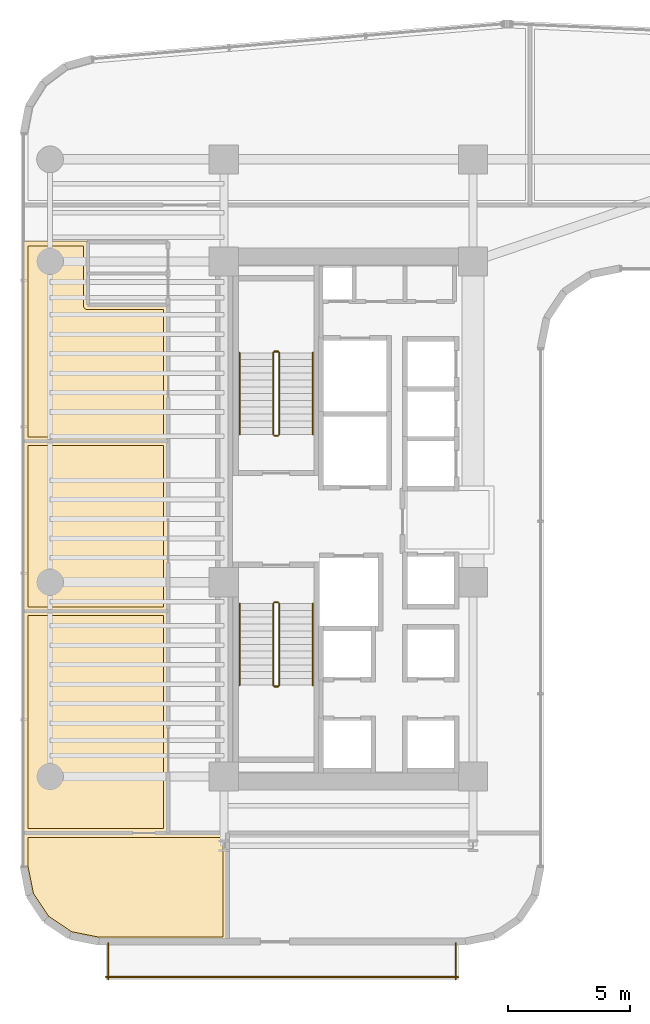
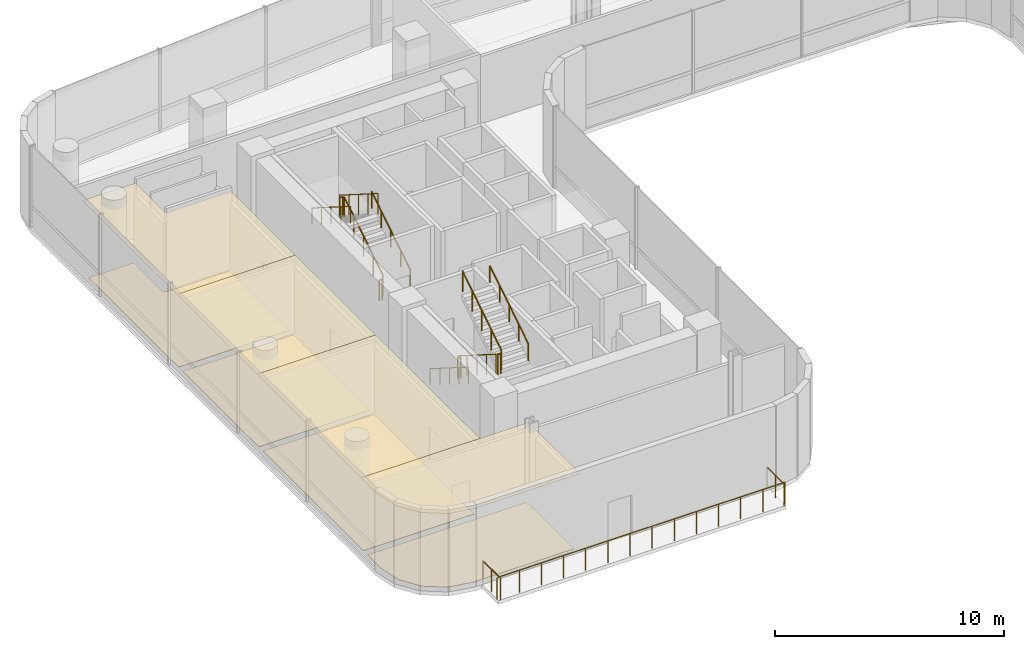
# One storey, part 29 of 32: 15 railings, 8 coverings.
"""IFC4 building model written with IfcOpenShell, lengths in metres."""

from ifc_helpers import new_model, si_unit, direction, frame, origin, origin_2d, place, context, subcontext, project, spatial, polyline, circle, outline, extrude, material, layer, layer_set, type_object, element, save


model = new_model("IFC4")

# Units and contexts
model_context = context("Model", 3, precision=1e-05, world=origin(), true_north=direction((0.0, 1.0)))
body_context = subcontext(model_context, "Body", "Model", "MODEL_VIEW")
ifc_project = project(units=[si_unit("LENGTHUNIT", "METRE"), si_unit("AREAUNIT", "SQUARE_METRE"), si_unit("VOLUMEUNIT", "CUBIC_METRE"), si_unit("PLANEANGLEUNIT", "RADIAN"), si_unit("MASSUNIT", "GRAM", prefix="KILO")], contexts=[model_context])

# Site, building, storey
site_placement = place(None, origin())
site = spatial("IfcSite", under=ifc_project, at=site_placement, CompositionType="ELEMENT")
building_placement = place(site_placement, origin())
building = spatial("IfcBuilding", under=site, at=building_placement, Name="Valdorenza Pilgrim Sanctuary Tower", CompositionType="ELEMENT")
storey_placement = place(building_placement, frame((0.0, 0.0, 101.10009765625)))
storey = spatial("IfcBuildingStorey", under=building, at=storey_placement, Name="L25", CompositionType="ELEMENT", Elevation=101.10009765625)

# Coverings
ifc_material_1 = material(Name="Micro-perforated acoustic mineral ceiling tile", Category="gypsum")
ifc_layer_1 = layer(ifc_material_1, 0.02490234375, Name="Micro-perforated acoustic mineral ceiling tile")
ifc_layer_set_1 = layer_set([ifc_layer_1], Name="Micro-perforated acoustic mineral ceiling tile")
covering_type_1 = type_object("IfcCoveringType", Name="COV-CLG-ACU", PredefinedType="CEILING", material=ifc_layer_set_1)
covering_1_placement = place(storey_placement, frame((0.0, 0.0, 4.059814453125)))
element("IfcCovering", 1, at=covering_1_placement, inside=storey, type_object=covering_type_1, Name="L25 Pilgrim Meditation Sanctuary Acoustic Ceiling", PredefinedType="CEILING", context=body_context, shape_type="SweptSolid", body=[
    extrude(outline(polyline([(-24.93505859375, -12.919921875), (-24.93505859375, -12.92138671875), (-24.935302734375, -12.9228515625), (-24.935546875, -12.92431640625), (-24.93603515625, -12.92578125), (-24.936767578125, -12.927001953125), (-24.9375, -12.92822265625), (-24.9384765625, -12.929443359375), (-24.939453125, -12.9306640625), (-24.9404296875, -12.931640625), (-24.941650390625, -12.9326171875), (-24.94287109375, -12.93310546875), (-24.9443359375, -12.933837890625), (-24.945556640625, -12.934326171875), (-24.947021484375, -12.934814453125), (-24.948486328125, -12.934814453125), (-24.949951171875, -12.93505859375), (-30.889892578125, -12.93505859375), (-30.8916015625, -12.934814453125), (-30.892822265625, -12.934814453125), (-30.894287109375, -12.934326171875), (-30.895751953125, -12.933837890625), (-30.897216796875, -12.93310546875), (-30.898193359375, -12.9326171875), (-30.8994140625, -12.931640625), (-30.900634765625, -12.9306640625), (-30.901611328125, -12.929443359375), (-30.902587890625, -12.92822265625), (-30.9033203125, -12.927001953125), (-30.90380859375, -12.92578125), (-30.904296875, -12.92431640625), (-30.90478515625, -12.9228515625), (-30.90478515625, -12.92138671875), (-30.905029296875, -12.919921875), (-30.905029296875, -3.800048828125), (-30.90478515625, -3.798583984375), (-30.90478515625, -3.797119140625), (-30.904296875, -3.795654296875), (-30.90380859375, -3.794189453125), (-30.9033203125, -3.79296875), (-30.902587890625, -3.791748046875), (-30.901611328125, -3.79052734375), (-30.900634765625, -3.789306640625), (-30.8994140625, -3.788330078125), (-30.898193359375, -3.78759765625), (-30.897216796875, -3.786865234375), (-30.895751953125, -3.7861328125), (-30.894287109375, -3.78564453125), (-30.892822265625, -3.785400390625), (-30.8916015625, -3.78515625), (-30.889892578125, -3.784912109375), (-24.949951171875, -3.784912109375), (-24.948486328125, -3.78515625), (-24.947021484375, -3.785400390625), (-24.945556640625, -3.78564453125), (-24.9443359375, -3.7861328125), (-24.94287109375, -3.786865234375), (-24.941650390625, -3.78759765625), (-24.9404296875, -3.788330078125), (-24.939453125, -3.789306640625), (-24.9384765625, -3.79052734375), (-24.9375, -3.791748046875), (-24.936767578125, -3.79296875), (-24.93603515625, -3.794189453125), (-24.935546875, -3.795654296875), (-24.935302734375, -3.797119140625), (-24.93505859375, -3.798583984375), (-24.93505859375, -3.800048828125), (-24.93505859375, -12.919921875)])), origin(), (0.0, 0.0, 1.0), 0.025146484375),
])
covering_2_placement = place(storey_placement, frame((0.0, 0.0, 4.059814453125)))
element("IfcCovering", 2, at=covering_2_placement, inside=storey, type_object=covering_type_1, Name="L25 Sky Tea and Refreshment Cafe Acoustic Ceiling", PredefinedType="CEILING", context=body_context, shape_type="SweptSolid", body=[
    extrude(outline(polyline([(-24.93505859375, -3.798095703125), (-24.93505859375, -3.799560546875), (-24.935302734375, -3.80078125), (-24.935546875, -3.802490234375), (-24.93603515625, -3.8037109375), (-24.936767578125, -3.80517578125), (-24.9375, -3.806396484375), (-24.9384765625, -3.8076171875), (-24.939453125, -3.80859375), (-24.9404296875, -3.8095703125), (-24.941650390625, -3.810546875), (-24.94287109375, -3.811279296875), (-24.9443359375, -3.81201171875), (-24.945556640625, -3.8125), (-24.947021484375, -3.812744140625), (-24.948486328125, -3.81298828125), (-24.949951171875, -3.81298828125), (-30.889892578125, -3.81298828125), (-30.8916015625, -3.81298828125), (-30.892822265625, -3.812744140625), (-30.894287109375, -3.8125), (-30.895751953125, -3.81201171875), (-30.897216796875, -3.811279296875), (-30.898193359375, -3.810546875), (-30.8994140625, -3.8095703125), (-30.900634765625, -3.80859375), (-30.901611328125, -3.8076171875), (-30.902587890625, -3.806396484375), (-30.9033203125, -3.80517578125), (-30.90380859375, -3.8037109375), (-30.904296875, -3.802490234375), (-30.90478515625, -3.80078125), (-30.90478515625, -3.799560546875), (-30.905029296875, -3.798095703125), (-30.905029296875, 3.199951171875), (-30.90478515625, 3.201416015625), (-30.90478515625, 3.202880859375), (-30.904296875, 3.204345703125), (-30.90380859375, 3.205810546875), (-30.9033203125, 3.20703125), (-30.902587890625, 3.208251953125), (-30.901611328125, 3.20947265625), (-30.900634765625, 3.210693359375), (-30.8994140625, 3.211669921875), (-30.898193359375, 3.21240234375), (-30.897216796875, 3.213134765625), (-30.895751953125, 3.2138671875), (-30.894287109375, 3.21435546875), (-30.892822265625, 3.214599609375), (-30.8916015625, 3.21484375), (-30.889892578125, 3.215087890625), (-24.949951171875, 3.215087890625), (-24.948486328125, 3.21484375), (-24.947021484375, 3.214599609375), (-24.945556640625, 3.21435546875), (-24.9443359375, 3.2138671875), (-24.94287109375, 3.213134765625), (-24.941650390625, 3.21240234375), (-24.9404296875, 3.211669921875), (-24.939453125, 3.210693359375), (-24.9384765625, 3.20947265625), (-24.9375, 3.208251953125), (-24.936767578125, 3.20703125), (-24.93603515625, 3.205810546875), (-24.935546875, 3.204345703125), (-24.935302734375, 3.202880859375), (-24.93505859375, 3.201416015625), (-24.93505859375, 3.199951171875), (-24.93505859375, -3.798095703125)])), origin(), (0.0, 0.0, 1.0), 0.025146484375),
])
covering_3_placement = place(storey_placement, frame((0.0, 0.0, 4.059814453125)))
element("IfcCovering", 3, at=covering_3_placement, inside=storey, type_object=covering_type_1, Name="L25 L25 Sky Lobby Concierge Office Acoustic Ceiling", PredefinedType="CEILING", context=body_context, shape_type="SweptSolid", body=[
    extrude(outline(polyline([(-28.237060546875, 8.81298828125), (-24.949951171875, 8.81298828125), (-24.948486328125, 8.81298828125), (-24.947021484375, 8.812744140625), (-24.945556640625, 8.8125), (-24.9443359375, 8.81201171875), (-24.94287109375, 8.811279296875), (-24.941650390625, 8.810546875), (-24.9404296875, 8.8095703125), (-24.939453125, 8.80859375), (-24.9384765625, 8.8076171875), (-24.9375, 8.806396484375), (-24.936767578125, 8.80517578125), (-24.93603515625, 8.8037109375), (-24.935546875, 8.802490234375), (-24.935302734375, 8.80078125), (-24.93505859375, 8.799560546875), (-24.93505859375, 8.798095703125), (-24.93505859375, 3.201904296875), (-24.93505859375, 3.200439453125), (-24.935302734375, 3.19921875), (-24.935546875, 3.197509765625), (-24.93603515625, 3.1962890625), (-24.936767578125, 3.19482421875), (-24.9375, 3.193603515625), (-24.9384765625, 3.1923828125), (-24.939453125, 3.19140625), (-24.9404296875, 3.1904296875), (-24.941650390625, 3.189453125), (-24.94287109375, 3.188720703125), (-24.9443359375, 3.18798828125), (-24.945556640625, 3.1875), (-24.947021484375, 3.187255859375), (-24.948486328125, 3.18701171875), (-24.949951171875, 3.18701171875), (-30.889892578125, 3.18701171875), (-30.8916015625, 3.18701171875), (-30.892822265625, 3.187255859375), (-30.894287109375, 3.1875), (-30.895751953125, 3.18798828125), (-30.897216796875, 3.188720703125), (-30.898193359375, 3.189453125), (-30.8994140625, 3.1904296875), (-30.900634765625, 3.19140625), (-30.901611328125, 3.1923828125), (-30.902587890625, 3.193603515625), (-30.9033203125, 3.19482421875), (-30.90380859375, 3.1962890625), (-30.904296875, 3.197509765625), (-30.90478515625, 3.19921875), (-30.90478515625, 3.200439453125), (-30.905029296875, 3.201904296875), (-30.905029296875, 11.419921875), (-30.90478515625, 11.42138671875), (-30.90478515625, 11.4228515625), (-30.904296875, 11.42431640625), (-30.90380859375, 11.42578125), (-30.9033203125, 11.427001953125), (-30.902587890625, 11.42822265625), (-30.901611328125, 11.429443359375), (-30.900634765625, 11.4306640625), (-30.8994140625, 11.431640625), (-30.898193359375, 11.4326171875), (-30.897216796875, 11.43310546875), (-30.895751953125, 11.433837890625), (-30.894287109375, 11.434326171875), (-30.892822265625, 11.434814453125), (-30.8916015625, 11.434814453125), (-30.889892578125, 11.43505859375), (-28.25, 11.43505859375), (-28.24853515625, 11.434814453125), (-28.2470703125, 11.434814453125), (-28.24560546875, 11.434326171875), (-28.244384765625, 11.433837890625), (-28.242919921875, 11.43310546875), (-28.24169921875, 11.4326171875), (-28.240478515625, 11.431640625), (-28.239501953125, 11.4306640625), (-28.23828125, 11.429443359375), (-28.237548828125, 11.42822265625), (-28.23681640625, 11.427001953125), (-28.236083984375, 11.42578125), (-28.235595703125, 11.42431640625), (-28.2353515625, 11.4228515625), (-28.235107421875, 11.42138671875), (-28.235107421875, 11.419921875), (-28.235107421875, 11.402099609375), (-28.235107421875, 11.400390625), (-28.2353515625, 11.39892578125), (-28.235595703125, 11.3974609375), (-28.236083984375, 11.39599609375), (-28.23681640625, 11.394775390625), (-28.237060546875, 11.39453125), (-28.237060546875, 10.103759765625), (-28.23681640625, 10.10302734375), (-28.23681640625, 10.1015625), (-28.23681640625, 10.10009765625), (-28.23681640625, 10.098388671875), (-28.237060546875, 10.09814453125), (-28.237060546875, 8.81298828125)])), origin(), (0.0, 0.0, 1.0), 0.025146484375),
])
covering_4_placement = place(storey_placement, frame((0.0, 0.0, 4.059814453125)))
element("IfcCovering", 4, at=covering_4_placement, inside=storey, type_object=covering_type_1, Name="L25 South Panoramic Viewing Salon Acoustic Ceiling", PredefinedType="CEILING", context=body_context, shape_type="SweptSolid", body=[
    extrude(outline(polyline([(-24.955322265625, -12.906982421875), (-24.954833984375, -12.90673828125), (-24.95361328125, -12.906005859375), (-24.9521484375, -12.905517578125), (-24.95068359375, -12.9052734375), (-24.949462890625, -12.905029296875), (-24.947998046875, -12.905029296875), (-22.5, -12.905029296875), (-22.49853515625, -12.905029296875), (-22.4970703125, -12.9052734375), (-22.49560546875, -12.905517578125), (-22.494384765625, -12.906005859375), (-22.492919921875, -12.90673828125), (-22.49169921875, -12.907470703125), (-22.490478515625, -12.908447265625), (-22.489501953125, -12.909423828125), (-22.48828125, -12.910400390625), (-22.487548828125, -12.91162109375), (-22.48681640625, -12.912841796875), (-22.486083984375, -12.914306640625), (-22.485595703125, -12.91552734375), (-22.4853515625, -12.9169921875), (-22.485107421875, -12.91845703125), (-22.485107421875, -12.919921875), (-22.485107421875, -17.389892578125), (-22.485107421875, -17.3916015625), (-22.4853515625, -17.392822265625), (-22.485595703125, -17.394287109375), (-22.486083984375, -17.395751953125), (-22.48681640625, -17.397216796875), (-22.487548828125, -17.398193359375), (-22.48828125, -17.3994140625), (-22.489501953125, -17.400634765625), (-22.490478515625, -17.401611328125), (-22.49169921875, -17.402587890625), (-22.492919921875, -17.4033203125), (-22.494384765625, -17.40380859375), (-22.49560546875, -17.404296875), (-22.4970703125, -17.40478515625), (-22.49853515625, -17.40478515625), (-22.5, -17.405029296875), (-27.789306640625, -17.405029296875), (-27.79052734375, -17.40478515625), (-27.7919921875, -17.40478515625), (-28.984619140625, -17.16748046875), (-28.986083984375, -17.1669921875), (-28.9873046875, -17.16650390625), (-28.98876953125, -17.166015625), (-28.989990234375, -17.165283203125), (-29.99169921875, -16.495849609375), (-29.992919921875, -16.4951171875), (-29.993896484375, -16.493896484375), (-29.9951171875, -16.492919921875), (-29.995849609375, -16.49169921875), (-30.665283203125, -15.489990234375), (-30.666015625, -15.48876953125), (-30.66650390625, -15.4873046875), (-30.6669921875, -15.486083984375), (-30.66748046875, -15.484619140625), (-30.90478515625, -14.2919921875), (-30.90478515625, -14.29052734375), (-30.905029296875, -14.289306640625), (-30.905029296875, -12.922119140625), (-30.90478515625, -12.92041015625), (-30.90478515625, -12.919189453125), (-30.904296875, -12.91748046875), (-30.90380859375, -12.916259765625), (-30.9033203125, -12.914794921875), (-30.902587890625, -12.913818359375), (-30.901611328125, -12.91259765625), (-30.900634765625, -12.911376953125), (-30.8994140625, -12.910400390625), (-30.898193359375, -12.909423828125), (-30.897216796875, -12.90869140625), (-30.895751953125, -12.908203125), (-30.894287109375, -12.90771484375), (-30.892822265625, -12.9072265625), (-30.8916015625, -12.906982421875), (-30.889892578125, -12.906982421875), (-24.955322265625, -12.906982421875)])), origin(), (0.0, 0.0, 1.0), 0.025146484375),
])
ifc_material_2 = material(Name="Honed travertine stone flooring", Category="masonry")
ifc_layer_2 = layer(ifc_material_2, 0.030029296875, Name="Honed travertine stone flooring")
ifc_layer_set_2 = layer_set([ifc_layer_2], Name="Honed travertine stone flooring")
covering_type_2 = type_object("IfcCoveringType", Name="COV-FLR-TRV", PredefinedType="FLOORING", material=ifc_layer_set_2)
covering_5_placement = place(storey_placement, origin())
element("IfcCovering", 5, at=covering_5_placement, inside=storey, type_object=covering_type_2, Name="L25 Pilgrim Meditation Sanctuary Flooring", PredefinedType="FLOORING", context=body_context, shape_type="SweptSolid", body=[
    extrude(outline(polyline([(-25.1298828125, -12.739990234375), (-30.7099609375, -12.739990234375), (-30.7099609375, -3.97998046875), (-25.1298828125, -3.97998046875), (-25.1298828125, -12.739990234375)])), origin(), (0.0, 0.0, 1.0), 0.02490234375),
])
covering_6_placement = place(storey_placement, origin())
element("IfcCovering", 6, at=covering_6_placement, inside=storey, type_object=covering_type_2, Name="L25 Sky Tea and Refreshment Cafe Flooring", PredefinedType="FLOORING", context=body_context, shape_type="SweptSolid", body=[
    extrude(outline(polyline([(-25.1298828125, -3.617919921875), (-30.7099609375, -3.617919921875), (-30.7099609375, 3.02001953125), (-25.1298828125, 3.02001953125), (-25.1298828125, -3.617919921875)])), origin(), (0.0, 0.0, 1.0), 0.02490234375),
])
covering_7_placement = place(storey_placement, origin())
element("IfcCovering", 7, at=covering_7_placement, inside=storey, type_object=covering_type_2, Name="L25 L25 Sky Lobby Concierge Office Flooring", PredefinedType="FLOORING", context=body_context, shape_type="SweptSolid", body=[
    extrude(outline(polyline([(-28.431884765625, 11.239990234375), (-28.431884765625, 10.10205078125), (-28.431884765625, 10.10107421875), (-28.431884765625, 10.100341796875), (-28.431884765625, 10.10009765625), (-28.431884765625, 8.800048828125), (-28.431884765625, 8.791259765625), (-28.431884765625, 8.791015625), (-28.429931640625, 8.7734375), (-28.429931640625, 8.773193359375), (-28.426513671875, 8.755859375), (-28.426513671875, 8.755615234375), (-28.42138671875, 8.73876953125), (-28.42138671875, 8.738525390625), (-28.41455078125, 8.722412109375), (-28.41455078125, 8.72216796875), (-28.40625, 8.70654296875), (-28.406005859375, 8.706298828125), (-28.396240234375, 8.691650390625), (-28.39599609375, 8.69140625), (-28.385009765625, 8.677978515625), (-28.384765625, 8.677734375), (-28.372314453125, 8.665283203125), (-28.3720703125, 8.6650390625), (-28.3583984375, 8.65380859375), (-28.3583984375, 8.65380859375), (-28.343505859375, 8.643798828125), (-28.343505859375, 8.643798828125), (-28.327880859375, 8.635498046875), (-28.32763671875, 8.635498046875), (-28.311279296875, 8.628662109375), (-28.311279296875, 8.628662109375), (-28.294189453125, 8.62353515625), (-28.294189453125, 8.623291015625), (-28.27685546875, 8.6201171875), (-28.276611328125, 8.6201171875), (-28.259033203125, 8.6181640625), (-28.2587890625, 8.6181640625), (-28.25, 8.617919921875), (-25.1298828125, 8.617919921875), (-25.1298828125, 3.382080078125), (-30.7099609375, 3.382080078125), (-30.7099609375, 11.239990234375), (-28.431884765625, 11.239990234375)])), origin(), (0.0, 0.0, 1.0), 0.02490234375),
])
covering_8_placement = place(storey_placement, origin())
element("IfcCovering", 8, at=covering_8_placement, inside=storey, type_object=covering_type_2, Name="L25 South Panoramic Viewing Salon Flooring", PredefinedType="FLOORING", context=body_context, shape_type="SweptSolid", body=[
    extrude(outline(polyline([(-22.679931640625, -17.2099609375), (-27.771484375, -17.2099609375), (-28.911376953125, -16.983154296875), (-29.853515625, -16.353515625), (-30.483154296875, -15.411376953125), (-30.7099609375, -14.271484375), (-30.7099609375, -13.10205078125), (-24.949951171875, -13.10205078125), (-22.679931640625, -13.10009765625), (-22.679931640625, -17.2099609375)])), origin(), (0.0, 0.0, 1.0), 0.02490234375),
])

# Railings
ifc_material_3 = material(Name="Laminated safety glass and stainless steel", Category="steel")
railing_type_1 = type_object("IfcRailingType", Name="RLG-BAL-1200", PredefinedType="BALUSTRADE", material=ifc_material_3)
railing_1_placement = place(storey_placement, frame((-27.5, -18.85009765625, 0.0)))
element("IfcRailing", 9, at=railing_1_placement, inside=storey, type_object=railing_type_1, Name="L25 Pilgrim Sky Tea Terrace Balustrade 1", PredefinedType="BALUSTRADE", context=body_context, shape_type="SweptSolid", body=[
    extrude(circle(Radius=0.02392578125, at=origin_2d()), frame((0.0, 0.0, 1.17578125), z_axis=(1.0, 0.0, 0.0), x_axis=(0.0, 1.0, 0.0)), (0.0, 0.0, 1.0), 14.5),
    extrude(circle(Radius=0.02099609375, at=origin_2d()), origin(), (0.0, 0.0, 1.0), 1.15185546875),
    extrude(circle(Radius=0.02099609375, at=origin_2d()), frame((1.115478515625, 0.0, 0.0)), (0.0, 0.0, 1.0), 1.15185546875),
    extrude(circle(Radius=0.02099609375, at=origin_2d()), frame((2.230712890625, 0.0, 0.0)), (0.0, 0.0, 1.0), 1.15185546875),
    extrude(circle(Radius=0.02099609375, at=origin_2d()), frame((3.34619140625, 0.0, 0.0)), (0.0, 0.0, 1.0), 1.15185546875),
    extrude(circle(Radius=0.02099609375, at=origin_2d()), frame((4.46142578125, 0.0, 0.0)), (0.0, 0.0, 1.0), 1.15185546875),
    extrude(circle(Radius=0.02099609375, at=origin_2d()), frame((5.576904296875, 0.0, 0.0)), (0.0, 0.0, 1.0), 1.15185546875),
    extrude(circle(Radius=0.02099609375, at=origin_2d()), frame((6.6923828125, 0.0, 0.0)), (0.0, 0.0, 1.0), 1.15185546875),
    extrude(circle(Radius=0.02099609375, at=origin_2d()), frame((7.8076171875, 0.0, 0.0)), (0.0, 0.0, 1.0), 1.15185546875),
    extrude(circle(Radius=0.02099609375, at=origin_2d()), frame((8.923095703125, 0.0, 0.0)), (0.0, 0.0, 1.0), 1.15185546875),
    extrude(circle(Radius=0.02099609375, at=origin_2d()), frame((10.03857421875, 0.0, 0.0)), (0.0, 0.0, 1.0), 1.15185546875),
    extrude(circle(Radius=0.02099609375, at=origin_2d()), frame((11.15380859375, 0.0, 0.0)), (0.0, 0.0, 1.0), 1.15185546875),
    extrude(circle(Radius=0.02099609375, at=origin_2d()), frame((12.269287109375, 0.0, 0.0)), (0.0, 0.0, 1.0), 1.15185546875),
    extrude(circle(Radius=0.02099609375, at=origin_2d()), frame((13.384521484375, 0.0, 0.0)), (0.0, 0.0, 1.0), 1.15185546875),
    extrude(circle(Radius=0.02099609375, at=origin_2d()), frame((14.5, 0.0, 0.0)), (0.0, 0.0, 1.0), 1.15185546875),
])
railing_2_placement = place(storey_placement, frame((-13.10009765625, -18.949951171875, 0.0)))
element("IfcRailing", 10, at=railing_2_placement, inside=storey, type_object=railing_type_1, Name="L25 Pilgrim Sky Tea Terrace Balustrade 2", PredefinedType="BALUSTRADE", context=body_context, shape_type="SweptSolid", body=[
    extrude(circle(Radius=0.02392578125, at=origin_2d()), frame((0.0, 0.0, 1.17578125), z_axis=(0.0, 1.0, 0.0), x_axis=(-1.0, 0.0, 0.0)), (0.0, 0.0, 1.0), 1.5),
    extrude(circle(Radius=0.02099609375, at=origin_2d()), origin(), (0.0, 0.0, 1.0), 1.15185546875),
    extrude(circle(Radius=0.02099609375, at=origin_2d()), frame((0.0, 0.75, 0.0)), (0.0, 0.0, 1.0), 1.15185546875),
    extrude(circle(Radius=0.02099609375, at=origin_2d()), frame((0.0, 1.5, 0.0)), (0.0, 0.0, 1.0), 1.15185546875),
])
railing_3_placement = place(storey_placement, frame((-27.39990234375, -17.449951171875, 0.0)))
element("IfcRailing", 11, at=railing_3_placement, inside=storey, type_object=railing_type_1, Name="L25 Pilgrim Sky Tea Terrace Balustrade 4", PredefinedType="BALUSTRADE", context=body_context, shape_type="SweptSolid", body=[
    extrude(circle(Radius=0.02392578125, at=origin_2d()), frame((0.0, 0.0, 1.17578125), z_axis=(0.0, -1.0, 0.0), x_axis=(1.0, 0.0, 0.0)), (0.0, 0.0, 1.0), 1.5),
    extrude(circle(Radius=0.02099609375, at=origin_2d()), origin(), (0.0, 0.0, 1.0), 1.15185546875),
    extrude(circle(Radius=0.02099609375, at=origin_2d()), frame((0.0, -0.75, 0.0)), (0.0, 0.0, 1.0), 1.15185546875),
    extrude(circle(Radius=0.02099609375, at=origin_2d()), frame((0.0, -1.5, 0.0)), (0.0, 0.0, 1.0), 1.15185546875),
])
ifc_material_4 = material(Name="Stainless steel Grade 316", Category="steel")
railing_type_2 = type_object("IfcRailingType", Name="RLG-GRD-1120", PredefinedType="GUARDRAIL", material=ifc_material_4)
railing_4_placement = place(storey_placement, frame((-20.3701171875, 3.47998046875, 0.1767578125)))
element("IfcRailing", 12, at=railing_4_placement, inside=storey, type_object=railing_type_2, Name="L25 ST-A1 stair guard 1", PredefinedType="GUARDRAIL", context=body_context, shape_type="SweptSolid", body=[
    extrude(circle(Radius=0.02392578125, at=origin_2d()), frame((0.0, 0.0, 1.076171875), z_axis=(0.0, 0.845389635667, 0.534150132366), x_axis=(-1.0, 0.0, 0.0)), (0.0, 0.0, 1.0), 3.974609375),
    extrude(circle(Radius=0.02099609375, at=origin_2d()), origin(), (0.0, 0.0, 1.0), 1.052001953125),
    extrude(circle(Radius=0.02099609375, at=origin_2d()), frame((0.0, 0.840087890625, 0.53076171875)), (0.0, 0.0, 1.0), 1.052001953125),
    extrude(circle(Radius=0.02099609375, at=origin_2d()), frame((0.0, 1.68017578125, 1.0615234375)), (0.0, 0.0, 1.0), 1.052001953125),
    extrude(circle(Radius=0.02099609375, at=origin_2d()), frame((0.0, 2.52001953125, 1.59228515625)), (0.0, 0.0, 1.0), 1.052001953125),
    extrude(circle(Radius=0.02099609375, at=origin_2d()), frame((0.0, 3.360107421875, 2.123046875)), (0.0, 0.0, 1.0), 1.052001953125),
])
railing_5_placement = place(storey_placement, frame((-20.419921875, 6.889892578125, 2.2998046875)))
element("IfcRailing", 13, at=railing_5_placement, inside=storey, type_object=railing_type_2, Name="L25 ST-A1 stair guard 2", PredefinedType="GUARDRAIL", context=body_context, shape_type="SweptSolid", body=[
    extrude(circle(Radius=0.02392578125, at=origin_2d()), frame((0.0, 0.0, 1.076171875), z_axis=(-1.0, 0.0, 0.0), x_axis=(0.0, -1.0, 0.0)), (0.0, 0.0, 1.0), 0.150146484375),
    extrude(circle(Radius=0.02099609375, at=origin_2d()), origin(), (0.0, 0.0, 1.0), 1.052001953125),
    extrude(circle(Radius=0.02099609375, at=origin_2d()), frame((-0.150146484375, 0.0, 0.0)), (0.0, 0.0, 1.0), 1.052001953125),
])
railing_6_placement = place(storey_placement, frame((-20.6201171875, 6.840087890625, 2.476806640625)))
element("IfcRailing", 14, at=railing_6_placement, inside=storey, type_object=railing_type_2, Name="L25 ST-A1 stair guard 3", PredefinedType="GUARDRAIL", context=body_context, shape_type="SweptSolid", body=[
    extrude(circle(Radius=0.02392578125, at=origin_2d()), frame((0.0, 0.0, 1.076171875), z_axis=(0.0, -0.845389635667, 0.534150132366), x_axis=(1.0, 0.0, 0.0)), (0.0, 0.0, 1.0), 3.974609375),
    extrude(circle(Radius=0.02099609375, at=origin_2d()), origin(), (0.0, 0.0, 1.0), 1.052001953125),
    extrude(circle(Radius=0.02099609375, at=origin_2d()), frame((0.0, -0.840087890625, 0.53076171875)), (0.0, 0.0, 1.0), 1.052001953125),
    extrude(circle(Radius=0.02099609375, at=origin_2d()), frame((0.0, -1.68017578125, 1.0615234375)), (0.0, 0.0, 1.0), 1.052001953125),
    extrude(circle(Radius=0.02099609375, at=origin_2d()), frame((0.0, -2.52001953125, 1.59228515625)), (0.0, 0.0, 1.0), 1.052001953125),
    extrude(circle(Radius=0.02099609375, at=origin_2d()), frame((0.0, -3.360107421875, 2.123046875)), (0.0, 0.0, 1.0), 1.052001953125),
])
railing_7_placement = place(storey_placement, frame((-20.419921875, 3.429931640625, 0.0)))
element("IfcRailing", 15, at=railing_7_placement, inside=storey, type_object=railing_type_2, Name="L25 ST-A1 stair guard 4", PredefinedType="GUARDRAIL", context=body_context, shape_type="SweptSolid", body=[
    extrude(circle(Radius=0.02392578125, at=origin_2d()), frame((0.0, 0.0, 1.076171875), z_axis=(-1.0, 0.0, 0.0), x_axis=(0.0, -1.0, 0.0)), (0.0, 0.0, 1.0), 0.150146484375),
    extrude(circle(Radius=0.02099609375, at=origin_2d()), origin(), (0.0, 0.0, 1.0), 1.052001953125),
    extrude(circle(Radius=0.02099609375, at=origin_2d()), frame((-0.150146484375, 0.0, 0.0)), (0.0, 0.0, 1.0), 1.052001953125),
])
railing_8_placement = place(storey_placement, frame((-20.6201171875, -3.47998046875, 0.1767578125)))
element("IfcRailing", 16, at=railing_8_placement, inside=storey, type_object=railing_type_2, Name="L25 ST-A2 stair guard 1", PredefinedType="GUARDRAIL", context=body_context, shape_type="SweptSolid", body=[
    extrude(circle(Radius=0.02392578125, at=origin_2d()), frame((0.0, 0.0, 1.076171875), z_axis=(0.0, -0.845389635667, 0.534150132366), x_axis=(1.0, 0.0, 0.0)), (0.0, 0.0, 1.0), 3.974609375),
    extrude(circle(Radius=0.02099609375, at=origin_2d()), origin(), (0.0, 0.0, 1.0), 1.052001953125),
    extrude(circle(Radius=0.02099609375, at=origin_2d()), frame((0.0, -0.840087890625, 0.53076171875)), (0.0, 0.0, 1.0), 1.052001953125),
    extrude(circle(Radius=0.02099609375, at=origin_2d()), frame((0.0, -1.68017578125, 1.0615234375)), (0.0, 0.0, 1.0), 1.052001953125),
    extrude(circle(Radius=0.02099609375, at=origin_2d()), frame((0.0, -2.52001953125, 1.59228515625)), (0.0, 0.0, 1.0), 1.052001953125),
    extrude(circle(Radius=0.02099609375, at=origin_2d()), frame((0.0, -3.360107421875, 2.123046875)), (0.0, 0.0, 1.0), 1.052001953125),
])
railing_9_placement = place(storey_placement, frame((-20.570068359375, -6.889892578125, 2.2998046875)))
element("IfcRailing", 17, at=railing_9_placement, inside=storey, type_object=railing_type_2, Name="L25 ST-A2 stair guard 2", PredefinedType="GUARDRAIL", context=body_context, shape_type="SweptSolid", body=[
    extrude(circle(Radius=0.02392578125, at=origin_2d()), frame((0.0, 0.0, 1.076171875), z_axis=(1.0, 0.0, 0.0), x_axis=(0.0, 1.0, 0.0)), (0.0, 0.0, 1.0), 0.150146484375),
    extrude(circle(Radius=0.02099609375, at=origin_2d()), origin(), (0.0, 0.0, 1.0), 1.052001953125),
    extrude(circle(Radius=0.02099609375, at=origin_2d()), frame((0.150146484375, 0.0, 0.0)), (0.0, 0.0, 1.0), 1.052001953125),
])
railing_10_placement = place(storey_placement, frame((-20.3701171875, -6.840087890625, 2.476806640625)))
element("IfcRailing", 18, at=railing_10_placement, inside=storey, type_object=railing_type_2, Name="L25 ST-A2 stair guard 3", PredefinedType="GUARDRAIL", context=body_context, shape_type="SweptSolid", body=[
    extrude(circle(Radius=0.02392578125, at=origin_2d()), frame((0.0, 0.0, 1.076171875), z_axis=(0.0, 0.845389635667, 0.534150132366), x_axis=(-1.0, 0.0, 0.0)), (0.0, 0.0, 1.0), 3.974609375),
    extrude(circle(Radius=0.02099609375, at=origin_2d()), origin(), (0.0, 0.0, 1.0), 1.052001953125),
    extrude(circle(Radius=0.02099609375, at=origin_2d()), frame((0.0, 0.840087890625, 0.53076171875)), (0.0, 0.0, 1.0), 1.052001953125),
    extrude(circle(Radius=0.02099609375, at=origin_2d()), frame((0.0, 1.68017578125, 1.0615234375)), (0.0, 0.0, 1.0), 1.052001953125),
    extrude(circle(Radius=0.02099609375, at=origin_2d()), frame((0.0, 2.52001953125, 1.59228515625)), (0.0, 0.0, 1.0), 1.052001953125),
    extrude(circle(Radius=0.02099609375, at=origin_2d()), frame((0.0, 3.360107421875, 2.123046875)), (0.0, 0.0, 1.0), 1.052001953125),
])
railing_11_placement = place(storey_placement, frame((-20.570068359375, -3.429931640625, 0.0)))
element("IfcRailing", 19, at=railing_11_placement, inside=storey, type_object=railing_type_2, Name="L25 ST-A2 stair guard 4", PredefinedType="GUARDRAIL", context=body_context, shape_type="SweptSolid", body=[
    extrude(circle(Radius=0.02392578125, at=origin_2d()), frame((0.0, 0.0, 1.076171875), z_axis=(1.0, 0.0, 0.0), x_axis=(0.0, 1.0, 0.0)), (0.0, 0.0, 1.0), 0.150146484375),
    extrude(circle(Radius=0.02099609375, at=origin_2d()), origin(), (0.0, 0.0, 1.0), 1.052001953125),
    extrude(circle(Radius=0.02099609375, at=origin_2d()), frame((0.150146484375, 0.0, 0.0)), (0.0, 0.0, 1.0), 1.052001953125),
])
ifc_material_5 = material(Name="Brushed stainless steel Grade 316", Category="steel")
railing_type_3 = type_object("IfcRailingType", Name="RLG-HND-920", PredefinedType="HANDRAIL", material=ifc_material_5)
railing_12_placement = place(storey_placement, frame((-18.989990234375, 3.47998046875, 0.1767578125)))
element("IfcRailing", 20, at=railing_12_placement, inside=storey, type_object=railing_type_3, Name="L25 ST-A1 stair handrail 1", PredefinedType="HANDRAIL", context=body_context, shape_type="SweptSolid", body=[
    extrude(circle(Radius=0.02392578125, at=origin_2d()), frame((0.0, 0.0, 0.8759765625), z_axis=(0.0, 0.845389635667, 0.534150132366), x_axis=(-1.0, 0.0, 0.0)), (0.0, 0.0, 1.0), 3.974609375),
    extrude(circle(Radius=0.02099609375, at=origin_2d()), origin(), (0.0, 0.0, 1.0), 0.851806640625),
    extrude(circle(Radius=0.02099609375, at=origin_2d()), frame((0.0, 0.840087890625, 0.53076171875)), (0.0, 0.0, 1.0), 0.851806640625),
    extrude(circle(Radius=0.02099609375, at=origin_2d()), frame((0.0, 1.68017578125, 1.0615234375)), (0.0, 0.0, 1.0), 0.851806640625),
    extrude(circle(Radius=0.02099609375, at=origin_2d()), frame((0.0, 2.52001953125, 1.59228515625)), (0.0, 0.0, 1.0), 0.851806640625),
    extrude(circle(Radius=0.02099609375, at=origin_2d()), frame((0.0, 3.360107421875, 2.123046875)), (0.0, 0.0, 1.0), 0.851806640625),
])
for number, where, name in (
    (21, (-22.0, 6.840087890625, 2.476806640625), "L25 ST-A1 stair handrail 2"),
    (22, (-22.0, -3.47998046875, 0.1767578125), "L25 ST-A2 stair handrail 1"),
):
    element("IfcRailing", number, at=place(storey_placement, frame(where)), inside=storey, type_object=railing_type_3, Name=name, PredefinedType="HANDRAIL", context=body_context, shape_type="SweptSolid", body=[
        extrude(circle(Radius=0.02392578125, at=origin_2d()), frame((0.0, 0.0, 0.8759765625), z_axis=(0.0, -0.845389635667, 0.534150132366), x_axis=(1.0, 0.0, 0.0)), (0.0, 0.0, 1.0), 3.974609375),
        extrude(circle(Radius=0.02099609375, at=origin_2d()), origin(), (0.0, 0.0, 1.0), 0.851806640625),
        extrude(circle(Radius=0.02099609375, at=origin_2d()), frame((0.0, -0.840087890625, 0.53076171875)), (0.0, 0.0, 1.0), 0.851806640625),
        extrude(circle(Radius=0.02099609375, at=origin_2d()), frame((0.0, -1.68017578125, 1.0615234375)), (0.0, 0.0, 1.0), 0.851806640625),
        extrude(circle(Radius=0.02099609375, at=origin_2d()), frame((0.0, -2.52001953125, 1.59228515625)), (0.0, 0.0, 1.0), 0.851806640625),
        extrude(circle(Radius=0.02099609375, at=origin_2d()), frame((0.0, -3.360107421875, 2.123046875)), (0.0, 0.0, 1.0), 0.851806640625),
    ])
railing_13_placement = place(storey_placement, frame((-18.989990234375, -6.840087890625, 2.476806640625)))
element("IfcRailing", 23, at=railing_13_placement, inside=storey, type_object=railing_type_3, Name="L25 ST-A2 stair handrail 2", PredefinedType="HANDRAIL", context=body_context, shape_type="SweptSolid", body=[
    extrude(circle(Radius=0.02392578125, at=origin_2d()), frame((0.0, 0.0, 0.8759765625), z_axis=(0.0, 0.845389635667, 0.534150132366), x_axis=(-1.0, 0.0, 0.0)), (0.0, 0.0, 1.0), 3.974609375),
    extrude(circle(Radius=0.02099609375, at=origin_2d()), origin(), (0.0, 0.0, 1.0), 0.851806640625),
    extrude(circle(Radius=0.02099609375, at=origin_2d()), frame((0.0, 0.840087890625, 0.53076171875)), (0.0, 0.0, 1.0), 0.851806640625),
    extrude(circle(Radius=0.02099609375, at=origin_2d()), frame((0.0, 1.68017578125, 1.0615234375)), (0.0, 0.0, 1.0), 0.851806640625),
    extrude(circle(Radius=0.02099609375, at=origin_2d()), frame((0.0, 2.52001953125, 1.59228515625)), (0.0, 0.0, 1.0), 0.851806640625),
    extrude(circle(Radius=0.02099609375, at=origin_2d()), frame((0.0, 3.360107421875, 2.123046875)), (0.0, 0.0, 1.0), 0.851806640625),
])

save(model, "model.ifc")
